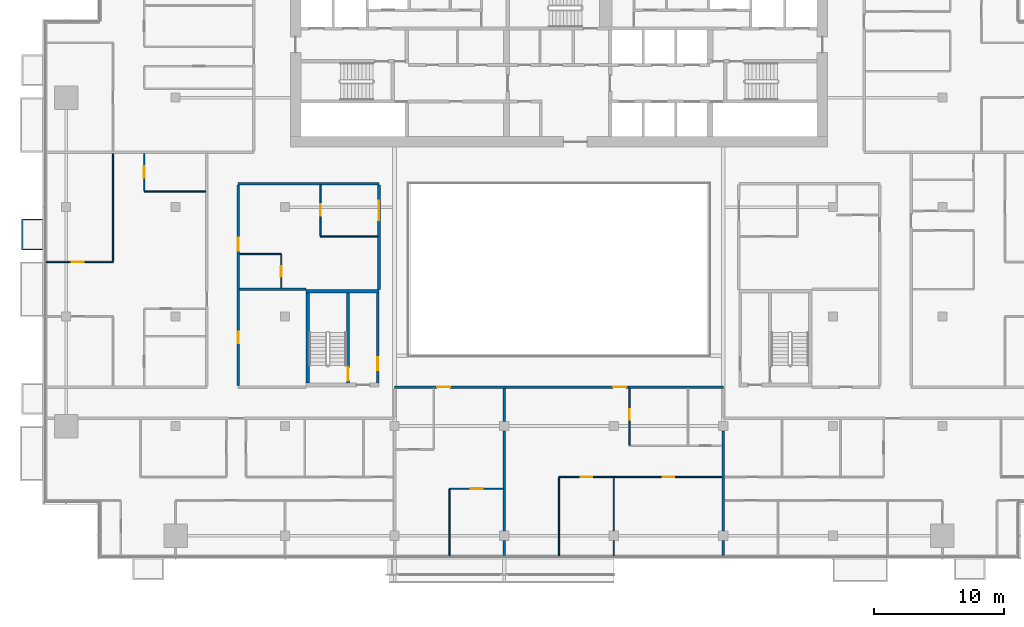
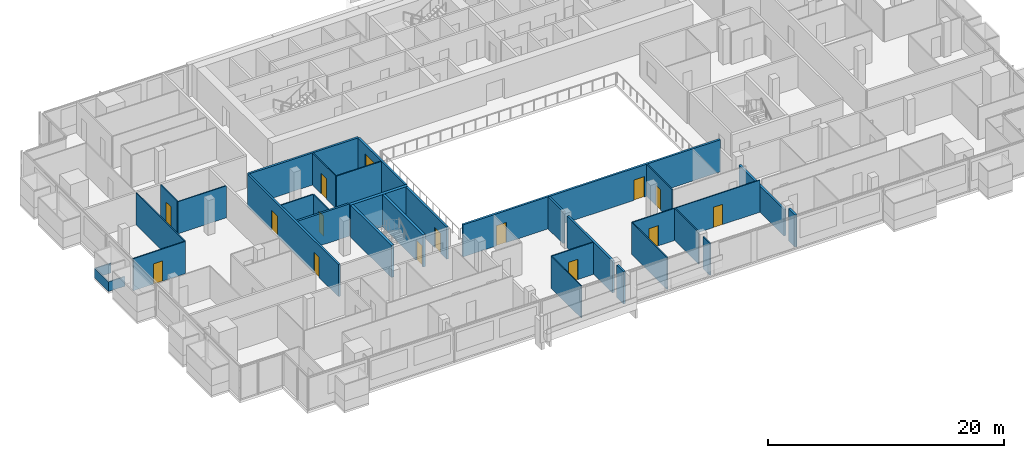
# One storey, part 19 of 28: 30 walls, 14 doors, 1 window, 15 openings.
"""IFC4 building model written with IfcOpenShell, lengths in metres."""

from ifc_helpers import new_model, si_unit, direction, frame, frame_2d, origin, place, context, subcontext, project, spatial, polyline, rectangle, outline, extrude, material, layer, layer_set, type_object, element, fill, save


model = new_model("IFC4")

# Units and contexts
model_context = context("Model", 3, precision=1e-05, world=origin(), true_north=direction((0.0, 1.0)))
body_context = subcontext(model_context, "Body", "Model", "MODEL_VIEW")
ifc_project = project(units=[si_unit("LENGTHUNIT", "METRE"), si_unit("AREAUNIT", "SQUARE_METRE"), si_unit("VOLUMEUNIT", "CUBIC_METRE"), si_unit("PLANEANGLEUNIT", "RADIAN"), si_unit("MASSUNIT", "GRAM", prefix="KILO")], contexts=[model_context])

# Site, building, storey
site_placement = place(None, origin())
site = spatial("IfcSite", under=ifc_project, at=site_placement, CompositionType="ELEMENT")
building_placement = place(site_placement, origin())
building = spatial("IfcBuilding", under=site, at=building_placement, Name="Saffron Gate Tower", CompositionType="ELEMENT")
storey_placement = place(building_placement, frame((0.0, 0.0, 151.050048828125)))
storey = spatial("IfcBuildingStorey", under=building, at=storey_placement, Name="L36", CompositionType="ELEMENT", Elevation=151.050048828125)

# Wall, opening, door
ifc_material_1 = material(Name="Gypsum board partition on steel studs", Category="steel")
ifc_layer_1 = layer(ifc_material_1, 0.199951171875)
ifc_layer_set_1 = layer_set([ifc_layer_1], Name="CW10 Core partition 200")
wall_type_1 = type_object("IfcWallType", Name="CW10 Core partition 200", PredefinedType="PARTITIONING", material=ifc_layer_set_1)
wall_1_placement = place(storey_placement, frame((73.699951171875, 43.5, 0.0), z_axis=(0.0, 0.0, 1.0), x_axis=(0.0, 1.0, 0.0)))
wall_1 = element("IfcWall", 1, at=wall_1_placement, inside=storey, type_object=wall_type_1, Name="Wall CW10-L36-D-4", PredefinedType="PARTITIONING", context=body_context, shape_type="SweptSolid", body=[
    extrude(rectangle(XDim=6.89990234375, YDim=0.199951171875, at=frame_2d((3.449951171875, 0.0))), origin(), (0.0, 0.0, 1.0), 3.320068359375),
])
opening_1_placement = place(wall_1_placement, frame((1.0, 0.0, 0.0)))
opening_1 = element("IfcOpeningElement", 2, at=opening_1_placement, cuts=wall_1, Name="Opening CR-19", PredefinedType="OPENING", context=body_context, shape_type="SweptSolid", body=[
    extrude(rectangle(XDim=1.0, YDim=2.10009765625, at=frame_2d((0.5, 1.050048828125))), frame((0.0, 0.10986328125, 0.0), z_axis=(0.0, -1.0, 0.0), x_axis=(1.0, 0.0, 0.0)), (0.0, 0.0, 1.0), 0.219970703125),
])
ifc_material_2 = material(Name="Steel fire door set", Category="steel")
door_type_1 = type_object("IfcDoorType", Name="CD4 Lobby door 1000x2100 EI 120", OperationType="NOTDEFINED", PredefinedType="DOOR", material=ifc_material_2)
door_1_placement = place(opening_1_placement, origin())
door_1 = element("IfcDoor", 3, at=door_1_placement, inside=storey, type_object=door_type_1, Name="DOOR CR-19", OperationType="SINGLE_SWING_RIGHT", OverallHeight=2.10009765625, OverallWidth=1.0, PredefinedType="DOOR", context=body_context, shape_type="SweptSolid", body=[
    extrude(rectangle(XDim=1.0, YDim=2.10009765625, at=frame_2d((0.5, 1.050048828125))), frame((0.0, 0.02490234375, 0.0), z_axis=(0.0, -1.0, 0.0), x_axis=(1.0, 0.0, 0.0)), (0.0, 0.0, 1.0), 0.050048828125),
])
fill(opening_1, door_1)

# Wall
ifc_material_3 = material(Name="Concrete C60", Category="concrete")
ifc_layer_2 = layer(ifc_material_3, 0.25)
ifc_layer_set_2 = layer_set([ifc_layer_2], Name="CW14 RC core wall 250 C60")
wall_type_2 = type_object("IfcWallType", Name="CW14 RC core wall 250 C60", PredefinedType="SOLIDWALL", material=ifc_layer_set_2)
wall_2_placement = place(storey_placement, frame((68.324951171875, 43.5, 0.0), z_axis=(0.0, 0.0, 1.0), x_axis=(0.0, 1.0, 0.0)))
element("IfcWall", 4, at=wall_2_placement, inside=storey, type_object=wall_type_2, Name="Wall CW14-L36-D-2", PredefinedType="SOLIDWALL", context=body_context, shape_type="SweptSolid", body=[
    extrude(rectangle(XDim=6.89990234375, YDim=0.25, at=frame_2d((3.449951171875, 0.0))), origin(), (0.0, 0.0, 1.0), 3.320068359375),
])

# Wall, opening, door
wall_3_placement = place(storey_placement, frame((71.425048828125, 43.5, 0.0), z_axis=(0.0, 0.0, 1.0), x_axis=(0.0, 1.0, 0.0)))
wall_3 = element("IfcWall", 5, at=wall_3_placement, inside=storey, type_object=wall_type_2, Name="Wall CW14-L36-D-3", PredefinedType="SOLIDWALL", context=body_context, shape_type="SweptSolid", body=[
    extrude(rectangle(XDim=6.89990234375, YDim=0.25, at=frame_2d((3.449951171875, 0.0))), origin(), (0.0, 0.0, 1.0), 3.320068359375),
])
opening_2_placement = place(wall_3_placement, frame((0.199951171875, 0.0, 0.0)))
opening_2 = element("IfcOpeningElement", 6, at=opening_2_placement, cuts=wall_3, Name="Opening CR-20", PredefinedType="OPENING", context=body_context, shape_type="SweptSolid", body=[
    extrude(rectangle(XDim=1.0, YDim=2.10009765625, at=frame_2d((0.5, 1.050048828125))), frame((0.0, 0.135009765625, 0.0), z_axis=(0.0, -1.0, 0.0), x_axis=(1.0, 0.0, 0.0)), (0.0, 0.0, 1.0), 0.27001953125),
])
door_type_2 = type_object("IfcDoorType", Name="CD5 Stair door 1000x2100 EI 120", OperationType="NOTDEFINED", PredefinedType="DOOR", material=ifc_material_2)
door_2_placement = place(opening_2_placement, origin())
door_2 = element("IfcDoor", 7, at=door_2_placement, inside=storey, type_object=door_type_2, Name="DOOR CR-20", OperationType="SINGLE_SWING_LEFT", OverallHeight=2.10009765625, OverallWidth=1.0, PredefinedType="DOOR", context=body_context, shape_type="SweptSolid", body=[
    extrude(rectangle(XDim=1.0, YDim=2.10009765625, at=frame_2d((0.5, 1.050048828125))), frame((0.0, 0.02490234375, 0.0), z_axis=(0.0, -1.0, 0.0), x_axis=(1.0, 0.0, 0.0)), (0.0, 0.0, 1.0), 0.050048828125),
])
fill(opening_2, door_2)

# Wall
ifc_layer_3 = layer(ifc_material_3, 0.300048828125)
ifc_layer_set_3 = layer_set([ifc_layer_3], Name="CW17 RC core wall 300 C60")
wall_type_3 = type_object("IfcWallType", Name="CW17 RC core wall 300 C60", PredefinedType="SOLIDWALL", material=ifc_layer_set_3)
wall_4_placement = place(storey_placement, frame((68.199951171875, 50.550048828125, 0.0), z_axis=(0.0, 0.0, 1.0), x_axis=(1.0, 0.0, 0.0)))
element("IfcWall", 8, at=wall_4_placement, inside=storey, type_object=wall_type_3, Name="Wall CW17-L36-D-5", PredefinedType="SOLIDWALL", context=body_context, shape_type="SweptSolid", body=[
    extrude(rectangle(XDim=5.60009765625, YDim=0.300048828125, at=frame_2d((2.800048828125, 0.0))), origin(), (0.0, 0.0, 1.0), 3.320068359375),
])

# Wall, opening, door
ifc_material_4 = material(Name="Plasterboard on steel studs", Category="steel")
ifc_layer_4 = layer(ifc_material_4, 0.10009765625)
ifc_layer_set_4 = layer_set([ifc_layer_4], Name="PW1 Partition 100")
wall_type_4 = type_object("IfcWallType", Name="PW1 Partition 100", PredefinedType="PARTITIONING", material=ifc_layer_set_4)
wall_5_placement = place(storey_placement, frame((83.300048828125, 35.39990234375, 0.0), z_axis=(0.0, 0.0, 1.0), x_axis=(-1.0, 0.0, 0.0)))
wall_5 = element("IfcWall", 9, at=wall_5_placement, inside=storey, type_object=wall_type_4, Name="Partition C1-5", PredefinedType="PARTITIONING", context=body_context, shape_type="SweptSolid", body=[
    extrude(rectangle(XDim=4.10009765625, YDim=0.10009765625, at=frame_2d((2.050048828125, 0.0))), origin(), (0.0, 0.0, 1.0), 3.320068359375),
])
opening_3_placement = place(wall_5_placement, frame((1.550048828125, 0.0, 0.0)))
opening_3 = element("IfcOpeningElement", 10, at=opening_3_placement, cuts=wall_5, Name="Opening C1-16", PredefinedType="OPENING", context=body_context, shape_type="SweptSolid", body=[
    extrude(rectangle(XDim=0.89990234375, YDim=2.10009765625, at=frame_2d((0.449951171875, 1.050048828125))), frame((0.0, 0.06005859375, 0.0), z_axis=(0.0, -1.0, 0.0), x_axis=(1.0, 0.0, 0.0)), (0.0, 0.0, 1.0), 0.1201171875),
])
ifc_material_5 = material(Name="Timber door set", Category="wood")
door_type_3 = type_object("IfcDoorType", Name="RD1 Room door 900x2100", OperationType="NOTDEFINED", PredefinedType="DOOR", material=ifc_material_5)
door_3_placement = place(opening_3_placement, origin())
door_3 = element("IfcDoor", 11, at=door_3_placement, inside=storey, type_object=door_type_3, Name="Door C1-16", OperationType="SINGLE_SWING_LEFT", OverallHeight=2.10009765625, OverallWidth=0.89990234375, PredefinedType="DOOR", context=body_context, shape_type="SweptSolid", body=[
    extrude(rectangle(XDim=0.89990234375, YDim=2.10009765625, at=frame_2d((0.449951171875, 1.050048828125))), frame((0.0, 0.02490234375, 0.0), z_axis=(0.0, -1.0, 0.0), x_axis=(1.0, 0.0, 0.0)), (0.0, 0.0, 1.0), 0.050048828125),
])
fill(opening_3, door_3)

wall_6_placement = place(storey_placement, frame((48.280029296875, 52.800048828125, 0.0), z_axis=(0.0, 0.0, 1.0), x_axis=(1.0, 0.0, 0.0)))
wall_6 = element("IfcWall", 12, at=wall_6_placement, inside=storey, type_object=wall_type_4, Name="Partition C1-29", PredefinedType="PARTITIONING", context=body_context, shape_type="SweptSolid", body=[
    extrude(rectangle(XDim=5.119873046875, YDim=0.10009765625, at=frame_2d((2.56005859375, 0.0))), origin(), (0.0, 0.0, 1.0), 3.320068359375),
])
opening_4_placement = place(wall_6_placement, frame((1.969970703125, 0.0, 0.0)))
opening_4 = element("IfcOpeningElement", 13, at=opening_4_placement, cuts=wall_6, Name="Opening C1-26", PredefinedType="OPENING", context=body_context, shape_type="SweptSolid", body=[
    extrude(rectangle(XDim=0.89990234375, YDim=2.10009765625, at=frame_2d((0.449951171875, 1.050048828125))), frame((0.0, 0.06005859375, 0.0), z_axis=(0.0, -1.0, 0.0), x_axis=(1.0, 0.0, 0.0)), (0.0, 0.0, 1.0), 0.1201171875),
])
door_4_placement = place(opening_4_placement, origin())
door_4 = element("IfcDoor", 14, at=door_4_placement, inside=storey, type_object=door_type_3, Name="Door C1-26", OperationType="SINGLE_SWING_LEFT", OverallHeight=2.10009765625, OverallWidth=0.89990234375, PredefinedType="DOOR", context=body_context, shape_type="SweptSolid", body=[
    extrude(rectangle(XDim=0.89990234375, YDim=2.10009765625, at=frame_2d((0.449951171875, 1.050048828125))), frame((0.0, 0.02490234375, 0.0), z_axis=(0.0, -1.0, 0.0), x_axis=(1.0, 0.0, 0.0)), (0.0, 0.0, 1.0), 0.050048828125),
])
fill(opening_4, door_4)

# Walls
wall_7_placement = place(storey_placement, frame((63.10009765625, 53.39990234375, 0.0), z_axis=(0.0, 0.0, 1.0), x_axis=(1.0, 0.0, 0.0)))
element("IfcWall", 15, at=wall_7_placement, inside=storey, type_object=wall_type_4, Name="Partition C1-31", PredefinedType="PARTITIONING", context=body_context, shape_type="SweptSolid", body=[
    extrude(rectangle(XDim=3.199951171875, YDim=0.10009765625, at=frame_2d((1.60009765625, 0.0))), origin(), (0.0, 0.0, 1.0), 3.320068359375),
])
wall_8_placement = place(storey_placement, frame((69.300048828125, 54.75, 0.0), z_axis=(0.0, 0.0, 1.0), x_axis=(1.0, 0.0, 0.0)))
element("IfcWall", 16, at=wall_8_placement, inside=storey, type_object=wall_type_4, Name="Partition C1-32", PredefinedType="PARTITIONING", context=body_context, shape_type="SweptSolid", body=[
    extrude(rectangle(XDim=4.39990234375, YDim=0.10009765625, at=frame_2d((2.199951171875, 0.0))), origin(), (0.0, 0.0, 1.0), 3.320068359375),
])
wall_9_placement = place(storey_placement, frame((55.800048828125, 58.199951171875, 0.0), z_axis=(0.0, 0.0, 1.0), x_axis=(1.0, 0.0, 0.0)))
element("IfcWall", 17, at=wall_9_placement, inside=storey, type_object=wall_type_4, Name="Partition C1-38", PredefinedType="PARTITIONING", context=body_context, shape_type="SweptSolid", body=[
    extrude(rectangle(XDim=4.699951171875, YDim=0.10009765625, at=frame_2d((2.35009765625, 0.0))), origin(), (0.0, 0.0, 1.0), 3.320068359375),
])

# Wall, opening, door
wall_10_placement = place(storey_placement, frame((55.800048828125, 61.10009765625, 0.0), z_axis=(0.0, 0.0, 1.0), x_axis=(0.0, -1.0, 0.0)))
wall_10 = element("IfcWall", 18, at=wall_10_placement, inside=storey, type_object=wall_type_4, Name="Partition C1-61", PredefinedType="PARTITIONING", context=body_context, shape_type="SweptSolid", body=[
    extrude(rectangle(XDim=2.85009765625, YDim=0.10009765625, at=frame_2d((1.425048828125, 0.0))), origin(), (0.0, 0.0, 1.0), 3.320068359375),
])
opening_5_placement = place(wall_10_placement, frame((0.949951171875, 0.0, 0.0)))
opening_5 = element("IfcOpeningElement", 19, at=opening_5_placement, cuts=wall_10, Name="Opening C1-27", PredefinedType="OPENING", context=body_context, shape_type="SweptSolid", body=[
    extrude(rectangle(XDim=0.89990234375, YDim=2.10009765625, at=frame_2d((0.449951171875, 1.050048828125))), frame((0.0, 0.06005859375, 0.0), z_axis=(0.0, -1.0, 0.0), x_axis=(1.0, 0.0, 0.0)), (0.0, 0.0, 1.0), 0.1201171875),
])
door_5_placement = place(opening_5_placement, origin())
door_5 = element("IfcDoor", 20, at=door_5_placement, inside=storey, type_object=door_type_3, Name="Door C1-27", OperationType="SINGLE_SWING_LEFT", OverallHeight=2.10009765625, OverallWidth=0.89990234375, PredefinedType="DOOR", context=body_context, shape_type="SweptSolid", body=[
    extrude(rectangle(XDim=0.89990234375, YDim=2.10009765625, at=frame_2d((0.449951171875, 1.050048828125))), frame((0.0, 0.02490234375, 0.0), z_axis=(0.0, -1.0, 0.0), x_axis=(1.0, 0.0, 0.0)), (0.0, 0.0, 1.0), 0.050048828125),
])
fill(opening_5, door_5)

wall_11_placement = place(storey_placement, frame((66.300048828125, 50.800048828125, 0.0), z_axis=(0.0, 0.0, 1.0), x_axis=(0.0, 1.0, 0.0)))
wall_11 = element("IfcWall", 21, at=wall_11_placement, inside=storey, type_object=wall_type_4, Name="Partition C1-71", PredefinedType="PARTITIONING", context=body_context, shape_type="SweptSolid", body=[
    extrude(rectangle(XDim=2.550048828125, YDim=0.10009765625, at=frame_2d((1.27490234375, 0.0))), origin(), (0.0, 0.0, 1.0), 3.320068359375),
])
opening_6_placement = place(wall_11_placement, frame((0.85009765625, 0.0, 0.0)))
opening_6 = element("IfcOpeningElement", 22, at=opening_6_placement, cuts=wall_11, Name="Opening C1-52", PredefinedType="OPENING", context=body_context, shape_type="SweptSolid", body=[
    extrude(rectangle(XDim=0.800048828125, YDim=2.10009765625, at=frame_2d((0.39990234375, 1.050048828125))), frame((0.0, 0.06005859375, 0.0), z_axis=(0.0, -1.0, 0.0), x_axis=(1.0, 0.0, 0.0)), (0.0, 0.0, 1.0), 0.1201171875),
])
door_type_4 = type_object("IfcDoorType", Name="RD2 Bathroom door 800x2100", OperationType="NOTDEFINED", PredefinedType="DOOR", material=ifc_material_5)
door_6_placement = place(opening_6_placement, origin())
door_6 = element("IfcDoor", 23, at=door_6_placement, inside=storey, type_object=door_type_4, Name="Door C1-52", OperationType="SINGLE_SWING_LEFT", OverallHeight=2.10009765625, OverallWidth=0.800048828125, PredefinedType="DOOR", context=body_context, shape_type="SweptSolid", body=[
    extrude(rectangle(XDim=0.800048828125, YDim=2.10009765625, at=frame_2d((0.39990234375, 1.050048828125))), frame((0.0, 0.02490234375, 0.0), z_axis=(0.0, -1.0, 0.0), x_axis=(1.0, 0.0, 0.0)), (0.0, 0.0, 1.0), 0.050048828125),
])
fill(opening_6, door_6)

wall_12_placement = place(storey_placement, frame((69.300048828125, 58.699951171875, 0.0), z_axis=(0.0, 0.0, 1.0), x_axis=(0.0, -1.0, 0.0)))
wall_12 = element("IfcWall", 24, at=wall_12_placement, inside=storey, type_object=wall_type_4, Name="Partition C1-75", PredefinedType="PARTITIONING", context=body_context, shape_type="SweptSolid", body=[
    extrude(rectangle(XDim=3.89990234375, YDim=0.10009765625, at=frame_2d((1.949951171875, 0.0))), origin(), (0.0, 0.0, 1.0), 3.320068359375),
])
opening_7_placement = place(wall_12_placement, frame((1.47509765625, 0.0, 0.0)))
opening_7 = element("IfcOpeningElement", 25, at=opening_7_placement, cuts=wall_12, Name="Opening C1-37", PredefinedType="OPENING", context=body_context, shape_type="SweptSolid", body=[
    extrude(rectangle(XDim=0.89990234375, YDim=2.10009765625, at=frame_2d((0.449951171875, 1.050048828125))), frame((0.0, 0.06005859375, 0.0), z_axis=(0.0, -1.0, 0.0), x_axis=(1.0, 0.0, 0.0)), (0.0, 0.0, 1.0), 0.1201171875),
])
door_7_placement = place(opening_7_placement, origin())
door_7 = element("IfcDoor", 26, at=door_7_placement, inside=storey, type_object=door_type_3, Name="Door C1-37", OperationType="SINGLE_SWING_LEFT", OverallHeight=2.10009765625, OverallWidth=0.89990234375, PredefinedType="DOOR", context=body_context, shape_type="SweptSolid", body=[
    extrude(rectangle(XDim=0.89990234375, YDim=2.10009765625, at=frame_2d((0.449951171875, 1.050048828125))), frame((0.0, 0.02490234375, 0.0), z_axis=(0.0, -1.0, 0.0), x_axis=(1.0, 0.0, 0.0)), (0.0, 0.0, 1.0), 0.050048828125),
])
fill(opening_7, door_7)

# Walls
wall_13_placement = place(storey_placement, frame((79.199951171875, 35.35009765625, 0.0), z_axis=(0.0, 0.0, 1.0), x_axis=(0.0, -1.0, 0.0)))
element("IfcWall", 27, at=wall_13_placement, inside=storey, type_object=wall_type_4, Name="Partition C1-82", PredefinedType="PARTITIONING", context=body_context, shape_type="SweptSolid", body=[
    extrude(rectangle(XDim=5.070068359375, YDim=0.10009765625, at=frame_2d((2.53515625, 0.0))), origin(), (0.0, 0.0, 1.0), 3.320068359375),
])
wall_14_placement = place(storey_placement, frame((87.60009765625, 36.25, 0.0), z_axis=(0.0, 0.0, 1.0), x_axis=(0.0, -1.0, 0.0)))
element("IfcWall", 28, at=wall_14_placement, inside=storey, type_object=wall_type_4, Name="Partition C1-86", PredefinedType="PARTITIONING", context=body_context, shape_type="SweptSolid", body=[
    extrude(rectangle(XDim=5.969970703125, YDim=0.10009765625, at=frame_2d((2.98486328125, 0.0))), origin(), (0.0, 0.0, 1.0), 3.320068359375),
])
wall_15_placement = place(storey_placement, frame((91.800048828125, 31.429931640625, 0.0), z_axis=(0.0, 0.0, 1.0), x_axis=(0.0, -1.0, 0.0)))
element("IfcWall", 29, at=wall_15_placement, inside=storey, type_object=wall_type_4, Name="Partition C1-87", PredefinedType="PARTITIONING", context=body_context, shape_type="SweptSolid", body=[
    extrude(rectangle(XDim=1.14990234375, YDim=0.10009765625, at=frame_2d((0.574951171875, 0.0))), origin(), (0.0, 0.0, 1.0), 3.320068359375),
])
wall_16_placement = place(storey_placement, frame((91.800048828125, 36.25, 0.0), z_axis=(0.0, 0.0, 1.0), x_axis=(0.0, -1.0, 0.0)))
element("IfcWall", 30, at=wall_16_placement, inside=storey, type_object=wall_type_4, Name="Partition C1-88", PredefinedType="PARTITIONING", context=body_context, shape_type="SweptSolid", body=[
    extrude(rectangle(XDim=4.080078125, YDim=0.10009765625, at=frame_2d((2.0400390625, 0.0))), origin(), (0.0, 0.0, 1.0), 3.320068359375),
])

# Wall, opening, door
wall_17_placement = place(storey_placement, frame((93.0, 43.10009765625, 0.0), z_axis=(0.0, 0.0, 1.0), x_axis=(0.0, -1.0, 0.0)))
wall_17 = element("IfcWall", 31, at=wall_17_placement, inside=storey, type_object=wall_type_4, Name="Partition C1-89", PredefinedType="PARTITIONING", context=body_context, shape_type="SweptSolid", body=[
    extrude(rectangle(XDim=4.35009765625, YDim=0.10009765625, at=frame_2d((2.175048828125, 0.0))), origin(), (0.0, 0.0, 1.0), 3.320068359375),
])
opening_8_placement = place(wall_17_placement, frame((1.60009765625, 0.0, 0.0)))
opening_8 = element("IfcOpeningElement", 32, at=opening_8_placement, cuts=wall_17, Name="Opening C1-42", PredefinedType="OPENING", context=body_context, shape_type="SweptSolid", body=[
    extrude(rectangle(XDim=0.800048828125, YDim=2.10009765625, at=frame_2d((0.39990234375, 1.050048828125))), frame((0.0, 0.06005859375, 0.0), z_axis=(0.0, -1.0, 0.0), x_axis=(1.0, 0.0, 0.0)), (0.0, 0.0, 1.0), 0.1201171875),
])
door_8_placement = place(opening_8_placement, origin())
door_8 = element("IfcDoor", 33, at=door_8_placement, inside=storey, type_object=door_type_4, Name="Door C1-42", OperationType="SINGLE_SWING_LEFT", OverallHeight=2.10009765625, OverallWidth=0.800048828125, PredefinedType="DOOR", context=body_context, shape_type="SweptSolid", body=[
    extrude(rectangle(XDim=0.800048828125, YDim=2.10009765625, at=frame_2d((0.39990234375, 1.050048828125))), frame((0.0, 0.02490234375, 0.0), z_axis=(0.0, -1.0, 0.0), x_axis=(1.0, 0.0, 0.0)), (0.0, 0.0, 1.0), 0.050048828125),
])
fill(opening_8, door_8)

# Wall, openings, doors
wall_18_placement = place(storey_placement, frame((100.10009765625, 36.300048828125, 0.0), z_axis=(0.0, 0.0, 1.0), x_axis=(-1.0, 0.0, 0.0)))
wall_18 = element("IfcWall", 34, at=wall_18_placement, inside=storey, type_object=wall_type_4, Name="Partition C1-118", PredefinedType="PARTITIONING", context=body_context, shape_type="SweptSolid", body=[
    extrude(rectangle(XDim=12.5, YDim=0.10009765625, at=frame_2d((6.25, 0.0))), origin(), (0.0, 0.0, 1.0), 3.320068359375),
])
opening_9_placement = place(wall_18_placement, frame((3.64990234375, 0.0, 0.0)))
opening_9 = element("IfcOpeningElement", 35, at=opening_9_placement, cuts=wall_18, Name="Opening C1-18", PredefinedType="OPENING", context=body_context, shape_type="SweptSolid", body=[
    extrude(rectangle(XDim=0.89990234375, YDim=2.10009765625, at=frame_2d((0.449951171875, 1.050048828125))), frame((0.0, 0.06005859375, 0.0), z_axis=(0.0, -1.0, 0.0), x_axis=(1.0, 0.0, 0.0)), (0.0, 0.0, 1.0), 0.1201171875),
])
opening_10_placement = place(wall_18_placement, frame((9.949951171875, 0.0, 0.0)))
opening_10 = element("IfcOpeningElement", 36, at=opening_10_placement, cuts=wall_18, Name="Opening C1-17", PredefinedType="OPENING", context=body_context, shape_type="SweptSolid", body=[
    extrude(rectangle(XDim=0.89990234375, YDim=2.10009765625, at=frame_2d((0.449951171875, 1.050048828125))), frame((0.0, 0.06005859375, 0.0), z_axis=(0.0, -1.0, 0.0), x_axis=(1.0, 0.0, 0.0)), (0.0, 0.0, 1.0), 0.1201171875),
])
door_9_placement = place(opening_9_placement, origin())
door_9 = element("IfcDoor", 37, at=door_9_placement, inside=storey, type_object=door_type_3, Name="Door C1-18", OperationType="SINGLE_SWING_LEFT", OverallHeight=2.10009765625, OverallWidth=0.89990234375, PredefinedType="DOOR", context=body_context, shape_type="SweptSolid", body=[
    extrude(rectangle(XDim=0.89990234375, YDim=2.10009765625, at=frame_2d((0.449951171875, 1.050048828125))), frame((0.0, 0.02490234375, 0.0), z_axis=(0.0, -1.0, 0.0), x_axis=(1.0, 0.0, 0.0)), (0.0, 0.0, 1.0), 0.050048828125),
])
fill(opening_9, door_9)
door_10_placement = place(opening_10_placement, origin())
door_10 = element("IfcDoor", 38, at=door_10_placement, inside=storey, type_object=door_type_3, Name="Door C1-17", OperationType="SINGLE_SWING_LEFT", OverallHeight=2.10009765625, OverallWidth=0.89990234375, PredefinedType="DOOR", context=body_context, shape_type="SweptSolid", body=[
    extrude(rectangle(XDim=0.89990234375, YDim=2.10009765625, at=frame_2d((0.449951171875, 1.050048828125))), frame((0.0, 0.02490234375, 0.0), z_axis=(0.0, -1.0, 0.0), x_axis=(1.0, 0.0, 0.0)), (0.0, 0.0, 1.0), 0.050048828125),
])
fill(opening_10, door_10)

# Walls
wall_19_placement = place(storey_placement, frame((53.39990234375, 61.10009765625, 0.0), z_axis=(0.0, 0.0, 1.0), x_axis=(0.0, -1.0, 0.0)))
element("IfcWall", 39, at=wall_19_placement, inside=storey, type_object=wall_type_4, Name="Partition C1-120", PredefinedType="PARTITIONING", context=body_context, shape_type="SweptSolid", body=[
    extrude(rectangle(XDim=8.25, YDim=0.10009765625, at=frame_2d((4.125, 0.0))), origin(), (0.0, 0.0, 1.0), 3.320068359375),
])
ifc_material_6 = material(Name="Clay brick masonry, rendered", Category="masonry")
ifc_layer_5 = layer(ifc_material_6, 0.199951171875)
ifc_layer_set_5 = layer_set([ifc_layer_5], Name="PW2 Demising wall 200")
wall_type_5 = type_object("IfcWallType", Name="PW2 Demising wall 200", PredefinedType="PARTITIONING", material=ifc_layer_set_5)
wall_20_placement = place(storey_placement, frame((63.10009765625, 50.699951171875, 0.0), z_axis=(0.0, 0.0, 1.0), x_axis=(1.0, 0.0, 0.0)))
element("IfcWall", 40, at=wall_20_placement, inside=storey, type_object=wall_type_5, Name="Wall C1-26", PredefinedType="PARTITIONING", context=body_context, shape_type="SweptSolid", body=[
    extrude(rectangle(XDim=5.099853515625, YDim=0.199951171875, at=frame_2d((2.5498046875, 0.0))), origin(), (0.0, 0.0, 1.0), 3.320068359375),
])
wall_21_placement = place(storey_placement, frame((83.39990234375, 31.429931640625, 0.0), z_axis=(0.0, 0.0, 1.0), x_axis=(0.0, -1.0, 0.0)))
element("IfcWall", 41, at=wall_21_placement, inside=storey, type_object=wall_type_5, Name="Wall C1-83", PredefinedType="PARTITIONING", context=body_context, shape_type="SweptSolid", body=[
    extrude(rectangle(XDim=1.14990234375, YDim=0.199951171875, at=frame_2d((0.574951171875, 0.0))), origin(), (0.0, 0.0, 1.0), 3.320068359375),
])
wall_22_placement = place(storey_placement, frame((83.39990234375, 39.830078125, 0.0), z_axis=(0.0, 0.0, 1.0), x_axis=(0.0, -1.0, 0.0)))
element("IfcWall", 42, at=wall_22_placement, inside=storey, type_object=wall_type_5, Name="Wall C1-84", PredefinedType="PARTITIONING", context=body_context, shape_type="SweptSolid", body=[
    extrude(rectangle(XDim=7.66015625, YDim=0.199951171875, at=frame_2d((3.830078125, 0.0))), origin(), (0.0, 0.0, 1.0), 3.320068359375),
])
wall_23_placement = place(storey_placement, frame((83.39990234375, 43.10009765625, 0.0), z_axis=(0.0, 0.0, 1.0), x_axis=(0.0, -1.0, 0.0)))
element("IfcWall", 43, at=wall_23_placement, inside=storey, type_object=wall_type_5, Name="Wall C1-85", PredefinedType="PARTITIONING", context=body_context, shape_type="SweptSolid", body=[
    extrude(rectangle(XDim=2.530029296875, YDim=0.199951171875, at=frame_2d((1.26513671875, 0.0))), origin(), (0.0, 0.0, 1.0), 3.320068359375),
])
wall_24_placement = place(storey_placement, frame((100.199951171875, 31.429931640625, 0.0), z_axis=(0.0, 0.0, 1.0), x_axis=(0.0, -1.0, 0.0)))
element("IfcWall", 44, at=wall_24_placement, inside=storey, type_object=wall_type_5, Name="Wall C1-92", PredefinedType="PARTITIONING", context=body_context, shape_type="SweptSolid", body=[
    extrude(rectangle(XDim=1.14990234375, YDim=0.199951171875, at=frame_2d((0.574951171875, 0.0))), origin(), (0.0, 0.0, 1.0), 3.320068359375),
])
wall_25_placement = place(storey_placement, frame((100.199951171875, 39.830078125, 0.0), z_axis=(0.0, 0.0, 1.0), x_axis=(0.0, -1.0, 0.0)))
element("IfcWall", 45, at=wall_25_placement, inside=storey, type_object=wall_type_5, Name="Wall C1-93", PredefinedType="PARTITIONING", context=body_context, shape_type="SweptSolid", body=[
    extrude(rectangle(XDim=7.66015625, YDim=0.199951171875, at=frame_2d((3.830078125, 0.0))), origin(), (0.0, 0.0, 1.0), 2.719970703125),
])

# Wall, openings, doors
ifc_layer_6 = layer(ifc_material_6, 0.199951171875)
ifc_layer_set_6 = layer_set([ifc_layer_6], Name="PW3 Corridor wall 200")
wall_type_6 = type_object("IfcWallType", Name="PW3 Corridor wall 200", PredefinedType="PARTITIONING", material=ifc_layer_set_6)
wall_26_placement = place(storey_placement, frame((100.199951171875, 43.199951171875, 0.0), z_axis=(0.0, 0.0, 1.0), x_axis=(-1.0, 0.0, 0.0)))
wall_26 = element("IfcWall", 46, at=wall_26_placement, inside=storey, type_object=wall_type_6, Name="Wall C1-17", PredefinedType="PARTITIONING", context=body_context, shape_type="SweptSolid", body=[
    extrude(rectangle(XDim=25.199951171875, YDim=0.199951171875, at=frame_2d((12.60009765625, 0.0))), origin(), (0.0, 0.0, 1.0), 3.320068359375),
])
opening_11_placement = place(wall_26_placement, frame((7.449951171875, 0.0, 0.0)))
opening_11 = element("IfcOpeningElement", 47, at=opening_11_placement, cuts=wall_26, Name="Opening C1-3", PredefinedType="OPENING", context=body_context, shape_type="SweptSolid", body=[
    extrude(rectangle(XDim=1.0, YDim=2.10009765625, at=frame_2d((0.5, 1.050048828125))), frame((0.0, 0.10986328125, 0.0), z_axis=(0.0, -1.0, 0.0), x_axis=(1.0, 0.0, 0.0)), (0.0, 0.0, 1.0), 0.219970703125),
])
opening_12_placement = place(wall_26_placement, frame((20.949951171875, 0.0, 0.0)))
opening_12 = element("IfcOpeningElement", 48, at=opening_12_placement, cuts=wall_26, Name="Opening C1-2", PredefinedType="OPENING", context=body_context, shape_type="SweptSolid", body=[
    extrude(rectangle(XDim=1.0, YDim=2.10009765625, at=frame_2d((0.5, 1.050048828125))), frame((0.0, 0.10986328125, 0.0), z_axis=(0.0, -1.0, 0.0), x_axis=(1.0, 0.0, 0.0)), (0.0, 0.0, 1.0), 0.219970703125),
])
ifc_material_7 = material(Name="Timber fire door set", Category="wood")
door_type_5 = type_object("IfcDoorType", Name="FD1 Flat entry door 1000x2100", OperationType="NOTDEFINED", PredefinedType="DOOR", material=ifc_material_7)
door_11_placement = place(opening_11_placement, origin())
door_11 = element("IfcDoor", 49, at=door_11_placement, inside=storey, type_object=door_type_5, Name="Door C1-3", OperationType="SINGLE_SWING_RIGHT", OverallHeight=2.10009765625, OverallWidth=1.0, PredefinedType="DOOR", context=body_context, shape_type="SweptSolid", body=[
    extrude(rectangle(XDim=1.0, YDim=2.10009765625, at=frame_2d((0.5, 1.050048828125))), frame((0.0, 0.02490234375, 0.0), z_axis=(0.0, -1.0, 0.0), x_axis=(1.0, 0.0, 0.0)), (0.0, 0.0, 1.0), 0.050048828125),
])
fill(opening_11, door_11)
door_12_placement = place(opening_12_placement, origin())
door_12 = element("IfcDoor", 50, at=door_12_placement, inside=storey, type_object=door_type_5, Name="Door C1-2", OperationType="SINGLE_SWING_LEFT", OverallHeight=2.10009765625, OverallWidth=1.0, PredefinedType="DOOR", context=body_context, shape_type="SweptSolid", body=[
    extrude(rectangle(XDim=1.0, YDim=2.10009765625, at=frame_2d((0.5, 1.050048828125))), frame((0.0, 0.02490234375, 0.0), z_axis=(0.0, -1.0, 0.0), x_axis=(1.0, 0.0, 0.0)), (0.0, 0.0, 1.0), 0.050048828125),
])
fill(opening_12, door_12)

# Wall
wall_27_placement = place(storey_placement, frame((63.0, 58.800048828125, 0.0), z_axis=(0.0, 0.0, 1.0), x_axis=(1.0, 0.0, 0.0)))
element("IfcWall", 51, at=wall_27_placement, inside=storey, type_object=wall_type_6, Name="Wall C1-39", PredefinedType="PARTITIONING", context=body_context, shape_type="SweptSolid", body=[
    extrude(rectangle(XDim=10.800048828125, YDim=0.199951171875, at=frame_2d((5.39990234375, 0.0))), origin(), (0.0, 0.0, 1.0), 3.320068359375),
])

# Wall, openings, doors
wall_28_placement = place(storey_placement, frame((63.0, 58.699951171875, 0.0), z_axis=(0.0, 0.0, 1.0), x_axis=(0.0, -1.0, 0.0)))
wall_28 = element("IfcWall", 52, at=wall_28_placement, inside=storey, type_object=wall_type_6, Name="Wall C1-68", PredefinedType="PARTITIONING", context=body_context, shape_type="SweptSolid", body=[
    extrude(rectangle(XDim=15.39990234375, YDim=0.199951171875, at=frame_2d((7.699951171875, 0.0))), origin(), (0.0, 0.0, 1.0), 3.320068359375),
])
opening_13_placement = place(wall_28_placement, frame((4.050048828125, 0.0, 0.0)))
opening_13 = element("IfcOpeningElement", 53, at=opening_13_placement, cuts=wall_28, Name="Opening C1-9", PredefinedType="OPENING", context=body_context, shape_type="SweptSolid", body=[
    extrude(rectangle(XDim=1.0, YDim=2.10009765625, at=frame_2d((0.5, 1.050048828125))), frame((0.0, 0.10986328125, 0.0), z_axis=(0.0, -1.0, 0.0), x_axis=(1.0, 0.0, 0.0)), (0.0, 0.0, 1.0), 0.219970703125),
])
opening_14_placement = place(wall_28_placement, frame((11.25, 0.0, 0.0)))
opening_14 = element("IfcOpeningElement", 54, at=opening_14_placement, cuts=wall_28, Name="Opening C1-55", PredefinedType="OPENING", context=body_context, shape_type="SweptSolid", body=[
    extrude(rectangle(XDim=0.89990234375, YDim=2.10009765625, at=frame_2d((0.449951171875, 1.050048828125))), frame((0.0, 0.10986328125, 0.0), z_axis=(0.0, -1.0, 0.0), x_axis=(1.0, 0.0, 0.0)), (0.0, 0.0, 1.0), 0.219970703125),
])
door_13_placement = place(opening_13_placement, origin())
door_13 = element("IfcDoor", 55, at=door_13_placement, inside=storey, type_object=door_type_5, Name="Door C1-9", OperationType="SINGLE_SWING_LEFT", OverallHeight=2.10009765625, OverallWidth=1.0, PredefinedType="DOOR", context=body_context, shape_type="SweptSolid", body=[
    extrude(rectangle(XDim=1.0, YDim=2.10009765625, at=frame_2d((0.5, 1.050048828125))), frame((0.0, 0.02490234375, 0.0), z_axis=(0.0, -1.0, 0.0), x_axis=(1.0, 0.0, 0.0)), (0.0, 0.0, 1.0), 0.050048828125),
])
fill(opening_13, door_13)
door_type_6 = type_object("IfcDoorType", Name="SD1 Service door 900x2100", OperationType="NOTDEFINED", PredefinedType="DOOR", material=ifc_material_2)
door_14_placement = place(opening_14_placement, origin())
door_14 = element("IfcDoor", 56, at=door_14_placement, inside=storey, type_object=door_type_6, Name="Door C1-55", OperationType="SINGLE_SWING_RIGHT", OverallHeight=2.10009765625, OverallWidth=0.89990234375, PredefinedType="DOOR", context=body_context, shape_type="SweptSolid", body=[
    extrude(rectangle(XDim=0.89990234375, YDim=2.10009765625, at=frame_2d((0.449951171875, 1.050048828125))), frame((0.0, 0.02490234375, 0.0), z_axis=(0.0, -1.0, 0.0), x_axis=(1.0, 0.0, 0.0)), (0.0, 0.0, 1.0), 0.050048828125),
])
fill(opening_14, door_14)

# Wall, opening, window
wall_29_placement = place(storey_placement, frame((73.800048828125, 58.699951171875, 0.0), z_axis=(0.0, 0.0, 1.0), x_axis=(0.0, -1.0, 0.0)))
wall_29 = element("IfcWall", 57, at=wall_29_placement, inside=storey, type_object=wall_type_6, Name="Wall C1-77", PredefinedType="PARTITIONING", context=body_context, shape_type="SweptSolid", body=[
    extrude(rectangle(XDim=8.0, YDim=0.199951171875, at=frame_2d((4.0, 0.0))), origin(), (0.0, 0.0, 1.0), 3.320068359375),
])
opening_15_placement = place(wall_29_placement, frame((1.22509765625, 0.0, 0.89990234375)))
opening_15 = element("IfcOpeningElement", 58, at=opening_15_placement, cuts=wall_29, Name="Opening GW1", PredefinedType="OPENING", context=body_context, shape_type="SweptSolid", body=[
    extrude(rectangle(XDim=1.5, YDim=1.5, at=frame_2d((0.75, 0.75))), frame((0.0, 0.10986328125, 0.0), z_axis=(0.0, -1.0, 0.0), x_axis=(1.0, 0.0, 0.0)), (0.0, 0.0, 1.0), 0.219970703125),
])
ifc_material_8 = material(Name="Fire-resisting laminated glass in steel frame", Category="steel")
ifc_layer_7 = layer(ifc_material_8, 0.06005859375)
ifc_layer_set_7 = layer_set([ifc_layer_7], Name="GW1 Gallery window 1500x1500")
window_type = type_object("IfcWindowType", Name="GW1 Gallery window 1500x1500", PartitioningType="SINGLE_PANEL", PredefinedType="WINDOW", material=ifc_layer_set_7)
window_placement = place(opening_15_placement, origin())
window = element("IfcWindow", 59, at=window_placement, inside=storey, type_object=window_type, Name="GW1 window C1-J-B1", OverallHeight=1.5, OverallWidth=1.5, PartitioningType="SINGLE_PANEL", PredefinedType="WINDOW", context=body_context, shape_type="SweptSolid", body=[
    extrude(rectangle(XDim=1.5, YDim=1.5, at=frame_2d((0.75, 0.75))), frame((0.0, 0.030029296875, 0.0), z_axis=(0.0, -1.0, 0.0), x_axis=(1.0, 0.0, 0.0)), (0.0, 0.0, 1.0), 0.06005859375),
])
fill(opening_15, window)

# Wall
ifc_material_9 = material(Name="Rendered insulated panel, white")
ifc_layer_8 = layer(ifc_material_9, 0.10009765625)
ifc_layer_set_8 = layer_set([ifc_layer_8], Name="WB3 box parapet white")
wall_type_7 = type_object("IfcWallType", Name="WB3 box parapet white", PredefinedType="SOLIDWALL", material=ifc_layer_set_8)
wall_30_placement = place(storey_placement, origin())
element("IfcWall", 60, at=wall_30_placement, inside=storey, type_object=wall_type_7, Name="WINDOW BOX parapet", PredefinedType="SOLIDWALL", context=body_context, shape_type="SweptSolid", body=[
    extrude(outline(polyline([(48.0, 56.10009765625), (48.0, 56.0), (46.5, 56.0), (46.5, 53.800048828125), (48.0, 53.800048828125), (48.0, 53.699951171875), (46.39990234375, 53.699951171875), (46.39990234375, 56.10009765625), (48.0, 56.10009765625)])), origin(), (0.0, 0.0, 1.0), 1.0),
])

save(model, "model.ifc")
